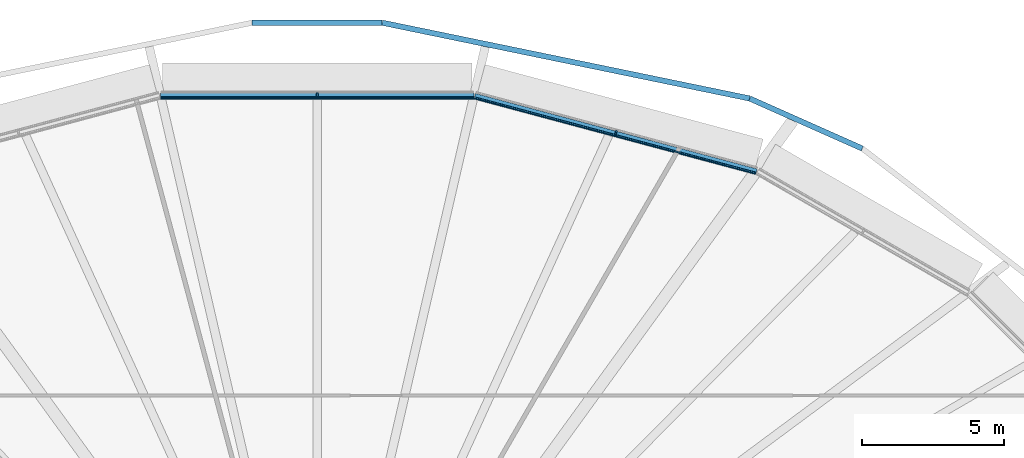
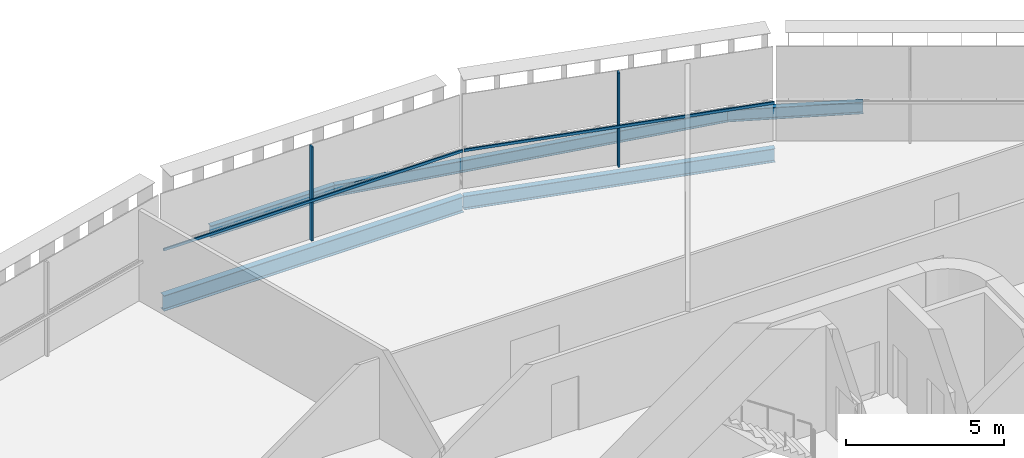
# One storey, part 11 of 25: 5 beams, 4 members, 2 elements without a shape of their own.
"""IFC4 building model written with IfcOpenShell, lengths in metres."""

from ifc_helpers import new_model, si_unit, direction, frame, origin, origin_2d, place, context, subcontext, project, spatial, rectangle, i_section, extrude, material, layer, layer_set, material_profile, profile_set, type_object, element, aggregate, save


model = new_model("IFC4")

# Units and contexts
model_context = context("Model", 3, precision=1e-05, world=origin(), true_north=direction((0.0, 1.0)))
body_context = subcontext(model_context, "Body", "Model", "MODEL_VIEW")
ifc_project = project(units=[si_unit("LENGTHUNIT", "METRE"), si_unit("AREAUNIT", "SQUARE_METRE"), si_unit("VOLUMEUNIT", "CUBIC_METRE"), si_unit("PLANEANGLEUNIT", "RADIAN"), si_unit("MASSUNIT", "GRAM", prefix="KILO")], contexts=[model_context])

# Site, building, storey
site_placement = place(None, origin())
site = spatial("IfcSite", under=ifc_project, at=site_placement, CompositionType="ELEMENT")
building_placement = place(site_placement, origin())
building = spatial("IfcBuilding", under=site, at=building_placement, Name="Sahrelin Media Tower", CompositionType="ELEMENT")
storey_placement = place(building_placement, frame((0.0, 0.0, 110.39990234375)))
storey = spatial("IfcBuildingStorey", under=building, at=storey_placement, Name="L21", CompositionType="ELEMENT", Elevation=110.39990234375)

# Beams
ifc_material_1 = material(Name="Steel S355", Category="steel")
ifc_material_profile_1 = material_profile(ifc_material_1, i_section(OverallWidth=0.208740234375, OverallDepth=0.5283203125, WebThickness=0.009521484375, FlangeThickness=0.01318359375, FilletRadius=0.0126953125, at=origin_2d()), Name="UB 533x210x82")
ifc_profile_set_1 = profile_set([ifc_material_profile_1], Name="Steel S355")
beam_type_1 = type_object("IfcBeamType", Name="Edge beam EB6", PredefinedType="BEAM", material=ifc_profile_set_1)
beam_1_placement = place(storey_placement, frame((5.525146484375, 23.8232421875, -0.4140625), z_axis=(0.965929419345, -0.258805635261, 0.0), x_axis=(0.258805635261, 0.965929419345, 0.0)))
element("IfcBeam", 1, at=beam_1_placement, inside=storey, type_object=beam_type_1, Name="Edge beam L21-20", PredefinedType="BEAM", context=body_context, shape_type="SweptSolid", body=[
    extrude(i_section(OverallWidth=0.208740234375, OverallDepth=0.5283203125, WebThickness=0.009521484375, FlangeThickness=0.01318359375, FilletRadius=0.0126953125, at=origin_2d()), origin(), (0.0, 0.0, 1.0), 10.235107421875),
])
ifc_material_profile_2 = material_profile(ifc_material_1, i_section(OverallWidth=0.2275390625, OverallDepth=0.6025390625, WebThickness=0.010498046875, FlangeThickness=0.014892578125, FilletRadius=0.0126953125, at=origin_2d()), Name="UB 610x229x101")
ifc_profile_set_2 = profile_set([ifc_material_profile_2], Name="Steel S355")
beam_type_2 = type_object("IfcBeamType", Name="Edge beam EB7", PredefinedType="BEAM", material=ifc_profile_set_2)
beam_2_placement = place(storey_placement, frame((-5.49658203125, 23.8271484375, -0.451171875), z_axis=(1.0, 0.0, 0.0), x_axis=(0.0, 1.0, 0.0)))
element("IfcBeam", 2, at=beam_2_placement, inside=storey, type_object=beam_type_2, Name="Edge beam L21-19", PredefinedType="BEAM", context=body_context, shape_type="SweptSolid", body=[
    extrude(i_section(OverallWidth=0.2275390625, OverallDepth=0.6025390625, WebThickness=0.010498046875, FlangeThickness=0.014892578125, FilletRadius=0.0126953125, at=origin_2d()), origin(), (0.0, 0.0, 1.0), 10.9931640625),
])

# Curtain wall, member
ifc_material_2 = material(Name="Champagne anodised aluminium 6063-T6", Category="aluminium")
ifc_layer = layer(ifc_material_2, 0.14990234375)
ifc_layer_set = layer_set([ifc_layer], Name="Tower ribbon curtain wall")
curtain_wall_type = type_object("IfcCurtainWallType", Name="Tower ribbon curtain wall", PredefinedType="NOTDEFINED", material=ifc_layer_set)
curtain_wall_1_placement = place(storey_placement, frame((10.507080078125, 22.643798828125, 0.0), z_axis=(0.0, 0.0, 1.0), x_axis=(1.0, 0.0, 0.0)))
curtain_wall_1 = element("IfcCurtainWall", 3, at=curtain_wall_1_placement, inside=storey, type_object=curtain_wall_type, Name="L21:CW:L21-05", PredefinedType="NOTDEFINED")
ifc_material_profile_3 = material_profile(ifc_material_2, rectangle(XDim=0.06005859375, YDim=0.14990234375, at=origin_2d()), Name="Mullion 60x150")
ifc_profile_set_3 = profile_set([ifc_material_profile_3], Name="Champagne anodised aluminium 6063-T6")
member_type_1 = type_object("IfcMemberType", Name="Mullion 60x150 CW1", PredefinedType="MULLION", material=ifc_profile_set_3)
member_1_placement = place(storey_placement, frame((10.482666015625, 22.552001953125, 0.0), z_axis=(0.0, 0.0, 1.0), x_axis=(-0.965926278012, 0.258817359244, 0.0)))
member_1 = element("IfcMember", 4, at=member_1_placement, type_object=member_type_1, Name="L21:CWM:L21-05", PredefinedType="MULLION", context=body_context, shape_type="SweptSolid", body=[
    extrude(rectangle(XDim=0.06005859375, YDim=0.14990234375, at=origin_2d()), origin(), (0.0, 0.0, 1.0), 3.648681640625),
])

curtain_wall_2_placement = place(storey_placement, frame((0.0, 23.97705078125, 0.0), z_axis=(0.0, 0.0, 1.0), x_axis=(1.0, 0.0, 0.0)))
curtain_wall_2 = element("IfcCurtainWall", 5, at=curtain_wall_2_placement, inside=storey, type_object=curtain_wall_type, Name="L21:CW:L21-06", PredefinedType="NOTDEFINED")
member_2_placement = place(storey_placement, frame((0.0, 23.882080078125, 0.0), z_axis=(0.0, 0.0, 1.0), x_axis=(-1.0, 0.0, 0.0)))
member_2 = element("IfcMember", 6, at=member_2_placement, type_object=member_type_1, Name="L21:CWM:L21-06", PredefinedType="MULLION", context=body_context, shape_type="SweptSolid", body=[
    extrude(rectangle(XDim=0.06005859375, YDim=0.14990234375, at=origin_2d()), origin(), (0.0, 0.0, 1.0), 3.648681640625),
])

# Beams
ifc_material_profile_4 = material_profile(ifc_material_1, i_section(OverallWidth=0.1904296875, OverallDepth=0.45703125, WebThickness=0.009033203125, FlangeThickness=0.014404296875, FilletRadius=0.01025390625, at=origin_2d()), Name="UB 457x191x74")
ifc_profile_set_4 = profile_set([ifc_material_profile_4], Name="Steel S355")
beam_type_3 = type_object("IfcBeamType", Name="Tie chord TC5", PredefinedType="BEAM", material=ifc_profile_set_4)
beam_3_placement = place(storey_placement, frame((19.12939453125, 21.9912109375, -0.37841796875), z_axis=(-0.913841818255, 0.406070352535, 0.0), x_axis=(-0.406070352535, -0.913841818255, 0.0)))
element("IfcBeam", 7, at=beam_3_placement, inside=storey, type_object=beam_type_3, Name="Tie chord L21-04", PredefinedType="BEAM", context=body_context, shape_type="SweptSolid", body=[
    extrude(i_section(OverallWidth=0.1904296875, OverallDepth=0.45703125, WebThickness=0.009033203125, FlangeThickness=0.014404296875, FilletRadius=0.01025390625, at=origin_2d()), origin(), (0.0, 0.0, 1.0), 4.323486328125),
])
beam_4_placement = place(storey_placement, frame((15.178466796875, 23.746826171875, -0.37841796875), z_axis=(-0.979388707477, 0.201984553039, 0.0), x_axis=(-0.201984553039, -0.979388707477, 0.0)))
element("IfcBeam", 8, at=beam_4_placement, inside=storey, type_object=beam_type_3, Name="Tie chord L21-05", PredefinedType="BEAM", context=body_context, shape_type="SweptSolid", body=[
    extrude(i_section(OverallWidth=0.1904296875, OverallDepth=0.45703125, WebThickness=0.009033203125, FlangeThickness=0.014404296875, FilletRadius=0.01025390625, at=origin_2d()), origin(), (0.0, 0.0, 1.0), 13.1689453125),
])
beam_5_placement = place(storey_placement, frame((2.281005859375, 26.40673828125, -0.37841796875), z_axis=(-1.0, 0.0, 0.0), x_axis=(0.0, -1.0, 0.0)))
element("IfcBeam", 9, at=beam_5_placement, inside=storey, type_object=beam_type_3, Name="Tie chord L21-06", PredefinedType="BEAM", context=body_context, shape_type="SweptSolid", body=[
    extrude(i_section(OverallWidth=0.1904296875, OverallDepth=0.45703125, WebThickness=0.009033203125, FlangeThickness=0.014404296875, FilletRadius=0.01025390625, at=origin_2d()), origin(), (0.0, 0.0, 1.0), 4.56201171875),
])

# Member
ifc_material_profile_5 = material_profile(ifc_material_2, rectangle(XDim=0.050048828125, YDim=0.10009765625, at=origin_2d()), Name="Transom 50x100")
ifc_profile_set_5 = profile_set([ifc_material_profile_5], Name="Champagne anodised aluminium 6063-T6")
member_type_2 = type_object("IfcMemberType", Name="Transom 50x100 CW1", PredefinedType="USERDEFINED", material=ifc_profile_set_5)
member_3_placement = place(storey_placement, frame((15.384765625, 21.135009765625, 1.60009765625), z_axis=(-0.965926477685, 0.258816614048, 0.0), x_axis=(-0.258816614048, -0.965926477685, 0.0)))
member_3 = element("IfcMember", 10, at=member_3_placement, type_object=member_type_2, Name="L21:CWT:L21-05", ObjectType="TRANSOM", PredefinedType="USERDEFINED", context=body_context, shape_type="SweptSolid", body=[
    extrude(rectangle(XDim=0.050048828125, YDim=0.10009765625, at=origin_2d()), origin(), (0.0, 0.0, 1.0), 10.20361328125),
])

aggregate(curtain_wall_1, [member_1, member_3])

member_4_placement = place(storey_placement, frame((5.48095703125, 23.781982421875, 1.60009765625), z_axis=(-1.0, 0.0, 0.0), x_axis=(0.0, -1.0, 0.0)))
member_4 = element("IfcMember", 11, at=member_4_placement, type_object=member_type_2, Name="L21:CWT:L21-06", ObjectType="TRANSOM", PredefinedType="USERDEFINED", context=body_context, shape_type="SweptSolid", body=[
    extrude(rectangle(XDim=0.050048828125, YDim=0.10009765625, at=origin_2d()), origin(), (0.0, 0.0, 1.0), 10.9619140625),
])

aggregate(curtain_wall_2, [member_2, member_4])

save(model, "model.ifc")
